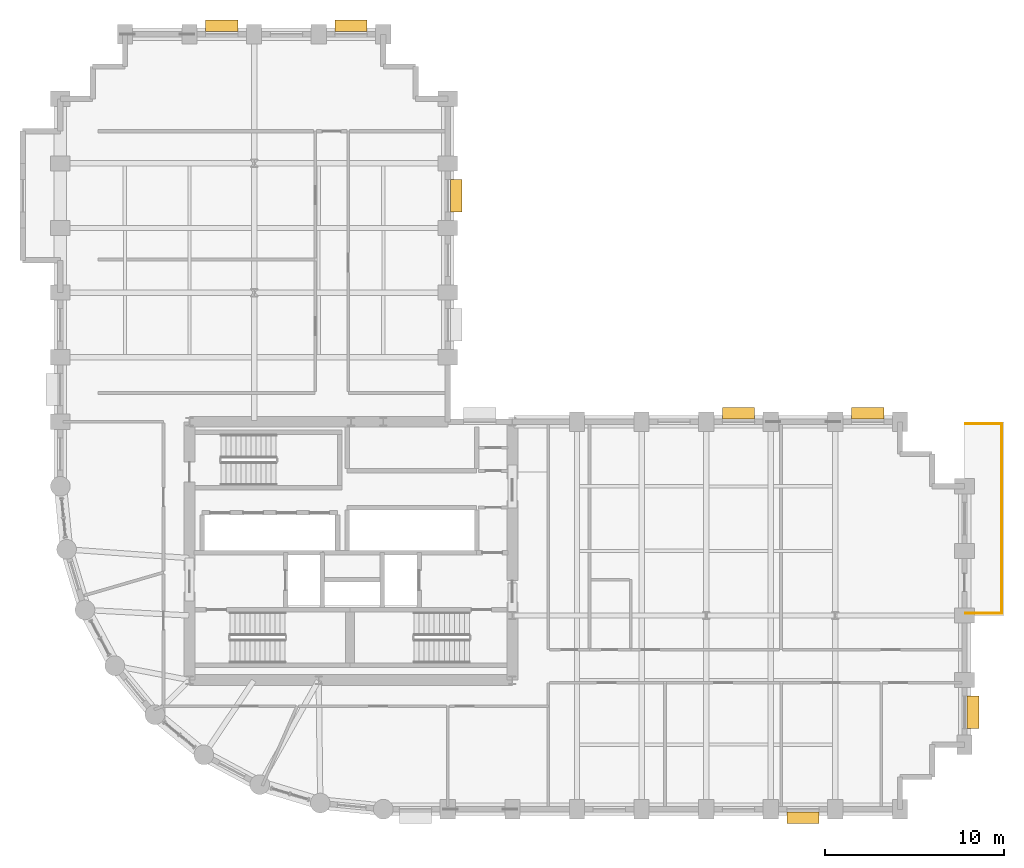
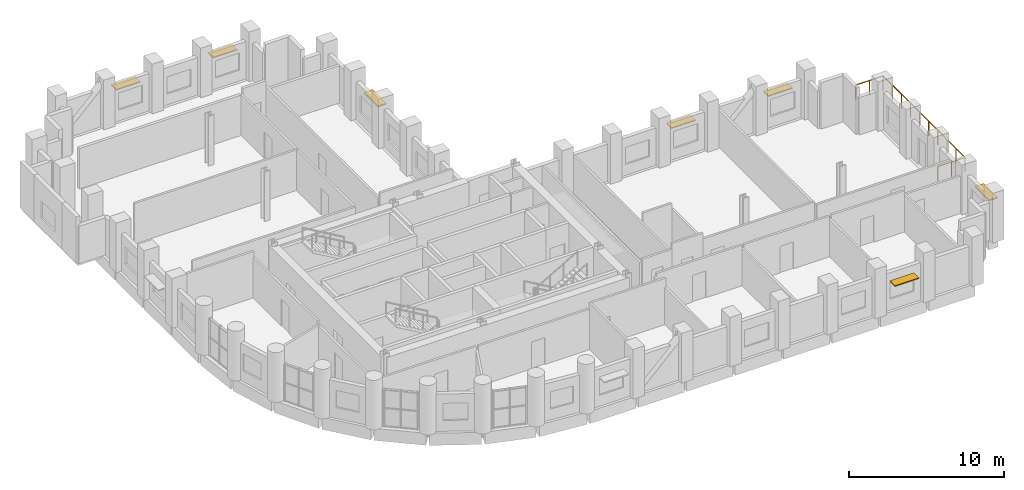
# One storey, part 13 of 13: 7 shading devices, 3 railings.
"""IFC4 building model written with IfcOpenShell, lengths in metres."""

import ifcopenshell
import ifcopenshell.guid

model = None  # the IFC model being written
_history = None  # IfcOwnerHistory: only IFC2X3 demands one
_inside = {}  # id of a spatial element -> (the spatial element, [elements in it])
_under = {}  # id of a project, library or spatial element -> (it, [spatial elements below it])
_declared = {}  # id of a project -> (the project, [libraries it declares])
_typed = {}  # id of a type object -> (the type object, [elements of that type])
_made_of = {}  # id of a material, layer set ... -> (it, [elements and type objects made of it])


def new_model(schema):
    """Start an empty IFC model of exactly this schema.

    Asked for "IFC4X3", IfcOpenShell would pick the latest addendum, in which some entities
    have other attributes; the version numbers below select the first issue.
    IFC2X3 requires an IfcOwnerHistory on every rooted entity: one is made here for all.
    """
    global model, _history
    if schema == "IFC4X3":
        model = ifcopenshell.file(schema_version=(4, 3, 0, 0))
    else:
        model = ifcopenshell.file(schema=schema)
    _inside.clear()
    _under.clear()
    _declared.clear()
    _typed.clear()
    _made_of.clear()
    _history = None
    if model.schema == "IFC2X3":
        org = make("IfcOrganization", Name="unknown")
        user = make(
            "IfcPersonAndOrganization",
            ThePerson=make("IfcPerson", FamilyName="unknown"),
            TheOrganization=org,
        )
        app = make(
            "IfcApplication",
            ApplicationDeveloper=org,
            Version="unknown",
            ApplicationFullName="unknown",
            ApplicationIdentifier="unknown",
        )
        _history = make(
            "IfcOwnerHistory",
            OwningUser=user,
            OwningApplication=app,
            ChangeAction="ADDED",
            CreationDate=0,
        )
    return model


def make(cls, **values):
    """One entity of the class cls with the attributes given. An attribute that is None is left unset."""
    return model.create_entity(
        cls, **{name: value for name, value in values.items() if value is not None}
    )


def rooted(cls, **values):
    """An entity with a GlobalId (a new one), such as an element, a storey or a relation."""
    return make(cls, GlobalId=ifcopenshell.guid.new(), OwnerHistory=_history, **values)


def si_unit(unit_type, name, prefix=None):
    """IfcSIUnit, for example si_unit("LENGTHUNIT", "METRE", prefix="MILLI")."""
    return make("IfcSIUnit", UnitType=unit_type, Prefix=prefix, Name=name)


def assignment(units):
    """IfcUnitAssignment: the units of a project."""
    return None if units is None else make("IfcUnitAssignment", Units=units)


def point(xyz):
    """IfcCartesianPoint."""
    return None if xyz is None else make("IfcCartesianPoint", Coordinates=xyz)


def direction(xyz):
    """IfcDirection."""
    return None if xyz is None else make("IfcDirection", DirectionRatios=xyz)


def frame(location, z_axis=None, x_axis=None):
    """IfcAxis2Placement3D, a coordinate frame: its origin and axes. An axis left out is left unset."""
    return make(
        "IfcAxis2Placement3D",
        Location=point(location),
        Axis=direction(z_axis),
        RefDirection=direction(x_axis),
    )


def frame_2d(location, x_axis=None):
    """IfcAxis2Placement2D, a coordinate frame in the plane: its origin and x axis."""
    return make(
        "IfcAxis2Placement2D", Location=point(location), RefDirection=direction(x_axis)
    )


def origin():
    """The frame at (0, 0, 0) with its axes left unset."""
    return frame((0.0, 0.0, 0.0))


def origin_2d():
    """The frame at (0, 0) in the plane with its x axis left unset."""
    return frame_2d((0.0, 0.0))


def place(relative_to, where):
    """IfcLocalPlacement: puts the frame where relative to a parent placement (None: the world)."""
    return make(
        "IfcLocalPlacement", PlacementRelTo=relative_to, RelativePlacement=where
    )


def context(
    kind, dimensions, precision=None, world=None, true_north=None, identifier=None
):
    """IfcGeometricRepresentationContext, for example the 3D "Model" context."""
    return make(
        "IfcGeometricRepresentationContext",
        ContextIdentifier=identifier,
        ContextType=kind,
        CoordinateSpaceDimension=dimensions,
        Precision=precision,
        WorldCoordinateSystem=world,
        TrueNorth=true_north,
    )


def subcontext(parent, identifier, kind, view, scale=None):
    """IfcGeometricRepresentationSubContext, for example "Body" below "Model"."""
    return make(
        "IfcGeometricRepresentationSubContext",
        ContextIdentifier=identifier,
        ContextType=kind,
        ParentContext=parent,
        TargetScale=scale,
        TargetView=view,
    )


def project(units=None, contexts=None):
    """IfcProject with its units and contexts."""
    return rooted(
        "IfcProject",
        Name="project",
        RepresentationContexts=contexts,
        UnitsInContext=assignment(units),
    )


def spatial(cls, under=None, at=None, **own):
    """A site, building, storey or space (cls), placed at a placement, below another one or the project."""
    s = rooted(cls, ObjectPlacement=at, **own)
    if under is not None:
        _under.setdefault(under.id(), (under, []))[1].append(s)
    return s


def profile(cls, at=None, kind="AREA", **sizes):
    """A parametric profile (cls). Its sizes go by their IFC names, for example OverallWidth=200.0."""
    return make(cls, ProfileType=kind, Position=at, **sizes)


def rectangle(**sizes):
    """IfcRectangleProfileDef."""
    return profile("IfcRectangleProfileDef", **sizes)


def circle(**sizes):
    """IfcCircleProfileDef."""
    return profile("IfcCircleProfileDef", **sizes)


def extrude(swept, where, along, depth):
    """IfcExtrudedAreaSolid: the profile swept, set in the frame where, extruded along a direction by depth."""
    return make(
        "IfcExtrudedAreaSolid",
        SweptArea=swept,
        Position=where,
        ExtrudedDirection=direction(along),
        Depth=depth,
    )


def shape(context_of_items, identifier, shape_type, items):
    """IfcShapeRepresentation: the items that make up one representation, for example the "Body"."""
    return make(
        "IfcShapeRepresentation",
        ContextOfItems=context_of_items,
        RepresentationIdentifier=identifier,
        RepresentationType=shape_type,
        Items=items,
    )


def material(Name=None, Category=None):
    """IfcMaterial."""
    return make("IfcMaterial", Name=Name, Category=Category)


def layer(
    of_material, thickness, ventilated=None, Name=None, Category=None, Priority=None
):
    """IfcMaterialLayer: one layer of a wall or slab, of a material (None: an air gap)."""
    return make(
        "IfcMaterialLayer",
        Material=of_material,
        LayerThickness=thickness,
        IsVentilated=ventilated,
        Name=Name,
        Category=Category,
        Priority=Priority,
    )


def layer_set(layers, Name=None):
    """IfcMaterialLayerSet."""
    return make("IfcMaterialLayerSet", MaterialLayers=layers, LayerSetName=Name)


def made_of(thing, what):
    """Note that an element or type object is made of a material, layer set ...; save() writes the relation."""
    if what is not None:
        _made_of.setdefault(what.id(), (what, []))[1].append(thing)
    return thing


def type_object(cls, material=None, **own):
    """A type object (cls), such as IfcWallType, which elements share."""
    return made_of(rooted(cls, **own), material)


def element(
    cls,
    number,
    at=None,
    inside=None,
    cuts=None,
    type_object=None,
    material=None,
    context=None,
    identifier="Body",
    shape_type=None,
    held_by="IfcProductDefinitionShape",
    body=None,
    shapes=None,
    **own,
):
    """One element of the class cls, such as IfcWall. Its Tag is "e" and its number.

    at: its placement. inside: the storey or other place that contains it. cuts: it is an
    opening in that element (IfcRelVoidsElement). A single representation is given by context,
    identifier, shape_type and body (its items); several are given by shapes. held_by: the class
    of the entity that holds the representations. save() writes the other relations.
    """
    e = rooted(cls, Tag="e%d" % number, ObjectPlacement=at, **own)
    if body is not None:
        shapes = [shape(context, identifier, shape_type, body)]
    if shapes is not None:
        e.Representation = make(held_by, Representations=shapes)
    if inside is not None:
        _inside.setdefault(inside.id(), (inside, []))[1].append(e)
    if cuts is not None:
        rooted(
            "IfcRelVoidsElement", RelatingBuildingElement=cuts, RelatedOpeningElement=e
        )
    if type_object is not None:
        _typed.setdefault(type_object.id(), (type_object, []))[1].append(e)
    return made_of(e, material)


def aggregate(whole, parts):
    """IfcRelAggregates: a whole, such as a stair, and the parts it consists of."""
    return rooted("IfcRelAggregates", RelatingObject=whole, RelatedObjects=parts)


def save(model, path):
    """Write the relations noted so far, then the file.

    IfcRelAggregates (storeys below a building ...), IfcRelContainedInSpatialStructure (elements
    in a storey), IfcRelDefinesByType, IfcRelAssociatesMaterial and IfcRelDeclares: one each for
    every whole, place, type object, material and project.
    """
    for whole, parts in _under.values():
        aggregate(whole, parts)
    for where, things in _inside.values():
        rooted(
            "IfcRelContainedInSpatialStructure",
            RelatedElements=things,
            RelatingStructure=where,
        )
    for kind, things in _typed.values():
        rooted("IfcRelDefinesByType", RelatedObjects=things, RelatingType=kind)
    for what, things in _made_of.values():
        rooted("IfcRelAssociatesMaterial", RelatedObjects=things, RelatingMaterial=what)
    for by, libraries in _declared.values():
        rooted("IfcRelDeclares", RelatingContext=by, RelatedDefinitions=libraries)
    model.write(path)


model = new_model("IFC4")

# Units and contexts
model_context = context("Model", 3, precision=1e-05, world=origin(), true_north=direction((0.0, 1.0)))
body_context = subcontext(model_context, "Body", "Model", "MODEL_VIEW")
ifc_project = project(units=[si_unit("LENGTHUNIT", "METRE"), si_unit("AREAUNIT", "SQUARE_METRE"), si_unit("VOLUMEUNIT", "CUBIC_METRE"), si_unit("PLANEANGLEUNIT", "RADIAN"), si_unit("MASSUNIT", "GRAM", prefix="KILO")], contexts=[model_context])

# Site, building, storey
site_placement = place(None, origin())
site = spatial("IfcSite", under=ifc_project, at=site_placement, CompositionType="ELEMENT")
building_placement = place(site_placement, origin())
building = spatial("IfcBuilding", under=site, at=building_placement, Name="Solnavia Interchange Tower", CompositionType="ELEMENT")
storey_placement = place(building_placement, frame((0.0, 0.0, 87.89990234375)))
storey = spatial("IfcBuildingStorey", under=building, at=storey_placement, Name="L21", CompositionType="ELEMENT", Elevation=87.89990234375)

# Railings
ifc_material_1 = material(Name="Laminated Safety Glass & Stainless Steel", Category="steel")
railing_type = type_object("IfcRailingType", Name="Railing-TerraceGuard-1150", PredefinedType="GUARDRAIL", material=ifc_material_1)
railing_1_placement = place(storey_placement, frame((57.64990234375, 14.52001953125, -0.039794921875)))
element("IfcRailing", 1, at=railing_1_placement, inside=storey, type_object=railing_type, Name="GRD-L21-TER-01 Perimeter terrace guardrail", PredefinedType="GUARDRAIL", context=body_context, shape_type="SweptSolid", body=[
    extrude(circle(Radius=0.02392578125, at=origin_2d()), frame((0.0, 0.0, 1.1259765625), z_axis=(1.0, 0.0, 0.0), x_axis=(0.0, 1.0, 0.0)), (0.0, 0.0, 1.0), 2.030029296875),
    extrude(circle(Radius=0.02099609375, at=origin_2d()), origin(), (0.0, 0.0, 1.0), 1.101806640625),
    extrude(circle(Radius=0.02099609375, at=origin_2d()), frame((1.01513671875, 0.0, 0.0)), (0.0, 0.0, 1.0), 1.101806640625),
    extrude(circle(Radius=0.02099609375, at=origin_2d()), frame((2.030029296875, 0.0, 0.0)), (0.0, 0.0, 1.0), 1.101806640625),
])
railing_2_placement = place(storey_placement, frame((59.679931640625, 14.52001953125, -0.039794921875)))
element("IfcRailing", 2, at=railing_2_placement, inside=storey, type_object=railing_type, Name="GRD-L21-TER-02 Perimeter terrace guardrail", PredefinedType="GUARDRAIL", context=body_context, shape_type="SweptSolid", body=[
    extrude(circle(Radius=0.02392578125, at=origin_2d()), frame((0.0, 0.0, 1.1259765625), z_axis=(0.0, 1.0, 0.0), x_axis=(-1.0, 0.0, 0.0)), (0.0, 0.0, 1.0), 10.56005859375),
    extrude(circle(Radius=0.02099609375, at=origin_2d()), origin(), (0.0, 0.0, 1.0), 1.101806640625),
    extrude(circle(Radius=0.02099609375, at=origin_2d()), frame((0.0, 1.17333984375, 0.0)), (0.0, 0.0, 1.0), 1.101806640625),
    extrude(circle(Radius=0.02099609375, at=origin_2d()), frame((0.0, 2.3466796875, 0.0)), (0.0, 0.0, 1.0), 1.101806640625),
    extrude(circle(Radius=0.02099609375, at=origin_2d()), frame((0.0, 3.52001953125, 0.0)), (0.0, 0.0, 1.0), 1.101806640625),
    extrude(circle(Radius=0.02099609375, at=origin_2d()), frame((0.0, 4.693359375, 0.0)), (0.0, 0.0, 1.0), 1.101806640625),
    extrude(circle(Radius=0.02099609375, at=origin_2d()), frame((0.0, 5.86669921875, 0.0)), (0.0, 0.0, 1.0), 1.101806640625),
    extrude(circle(Radius=0.02099609375, at=origin_2d()), frame((0.0, 7.0400390625, 0.0)), (0.0, 0.0, 1.0), 1.101806640625),
    extrude(circle(Radius=0.02099609375, at=origin_2d()), frame((0.0, 8.21337890625, 0.0)), (0.0, 0.0, 1.0), 1.101806640625),
    extrude(circle(Radius=0.02099609375, at=origin_2d()), frame((0.0, 9.38671875, 0.0)), (0.0, 0.0, 1.0), 1.101806640625),
    extrude(circle(Radius=0.02099609375, at=origin_2d()), frame((0.0, 10.56005859375, 0.0)), (0.0, 0.0, 1.0), 1.101806640625),
])
railing_3_placement = place(storey_placement, frame((59.679931640625, 25.080078125, -0.039794921875)))
element("IfcRailing", 3, at=railing_3_placement, inside=storey, type_object=railing_type, Name="GRD-L21-TER-03 Perimeter terrace guardrail", PredefinedType="GUARDRAIL", context=body_context, shape_type="SweptSolid", body=[
    extrude(circle(Radius=0.02392578125, at=origin_2d()), frame((0.0, 0.0, 1.1259765625), z_axis=(-1.0, 0.0, 0.0), x_axis=(0.0, -1.0, 0.0)), (0.0, 0.0, 1.0), 2.030029296875),
    extrude(circle(Radius=0.02099609375, at=origin_2d()), origin(), (0.0, 0.0, 1.0), 1.101806640625),
    extrude(circle(Radius=0.02099609375, at=origin_2d()), frame((-1.01513671875, 0.0, 0.0)), (0.0, 0.0, 1.0), 1.101806640625),
    extrude(circle(Radius=0.02099609375, at=origin_2d()), frame((-2.030029296875, 0.0, 0.0)), (0.0, 0.0, 1.0), 1.101806640625),
])

# Shading devices
ifc_material_2 = material(Name="Anodised Aluminium Sunshade", Category="aluminium")
ifc_layer = layer(ifc_material_2, 0.080078125)
ifc_layer_set = layer_set([ifc_layer], Name="Anodised Aluminium Sunshade")
shading_device_type = type_object("IfcShadingDeviceType", Name="Sunshade-Band-650", PredefinedType="SHUTTER", material=ifc_layer_set)
for number, where, z_axis, x_axis, name in (
    (4, (48.60009765625, 3.1298828125, 2.219970703125), (0.0, 0.0, 1.0), (-1.0, 0.0, 0.0), "SHD-L21-07 Horizontal sunshade band"),
    (5, (58.070068359375, 9.0, 2.219970703125), (0.0, 0.0, 1.0), (0.0, -1.0, 0.0), "SHD-L21-13 Horizontal sunshade band"),
    (6, (52.199951171875, 25.669921875, 2.219970703125), (0.0, 0.0, 1.0), (1.0, 0.0, 0.0), "SHD-L21-21 Horizontal sunshade band"),
    (7, (45.0, 25.669921875, 2.219970703125), (0.0, 0.0, 1.0), (1.0, 0.0, 0.0), "SHD-L21-23 Horizontal sunshade band"),
    (8, (29.27001953125, 37.800048828125, 2.219970703125), (0.0, 0.0, 1.0), (0.0, -1.0, 0.0), "SHD-L21-31 Horizontal sunshade band"),
    (9, (23.39990234375, 47.27001953125, 2.219970703125), (0.0, 0.0, 1.0), (1.0, 0.0, 0.0), "SHD-L21-37 Horizontal sunshade band"),
    (10, (16.199951171875, 47.27001953125, 2.219970703125), (0.0, 0.0, 1.0), (1.0, 0.0, 0.0), "SHD-L21-39 Horizontal sunshade band"),
):
    element("IfcShadingDevice", number, at=place(storey_placement, frame(where, z_axis=z_axis, x_axis=x_axis)), inside=storey, type_object=shading_device_type, Name=name, PredefinedType="SHUTTER", context=body_context, shape_type="SweptSolid", body=[
        extrude(rectangle(XDim=1.800048828125, YDim=0.64990234375, at=origin_2d()), origin(), (0.0, 0.0, 1.0), 0.080078125),
    ])

save(model, "model.ifc")
